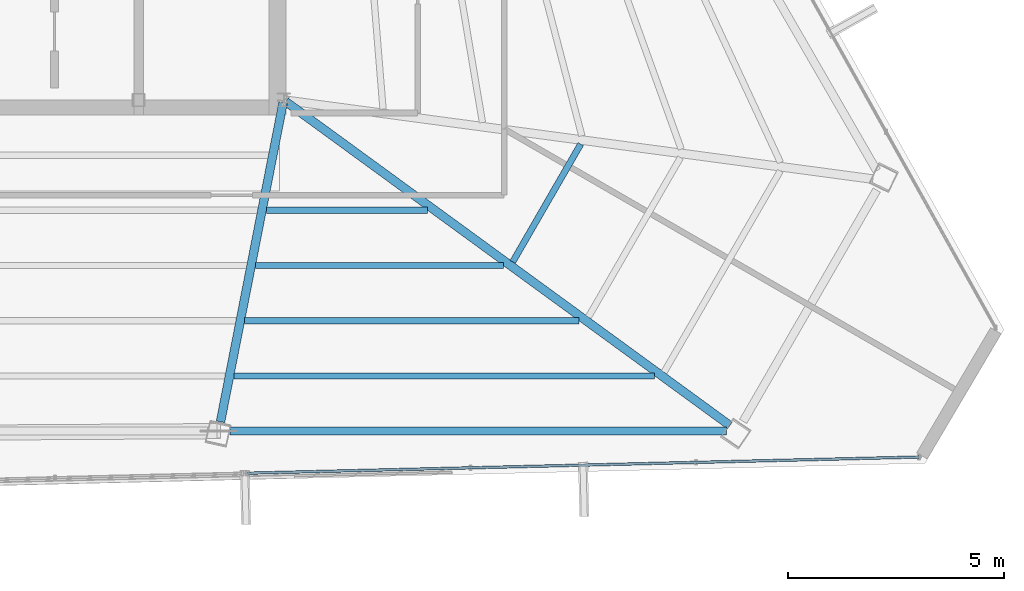
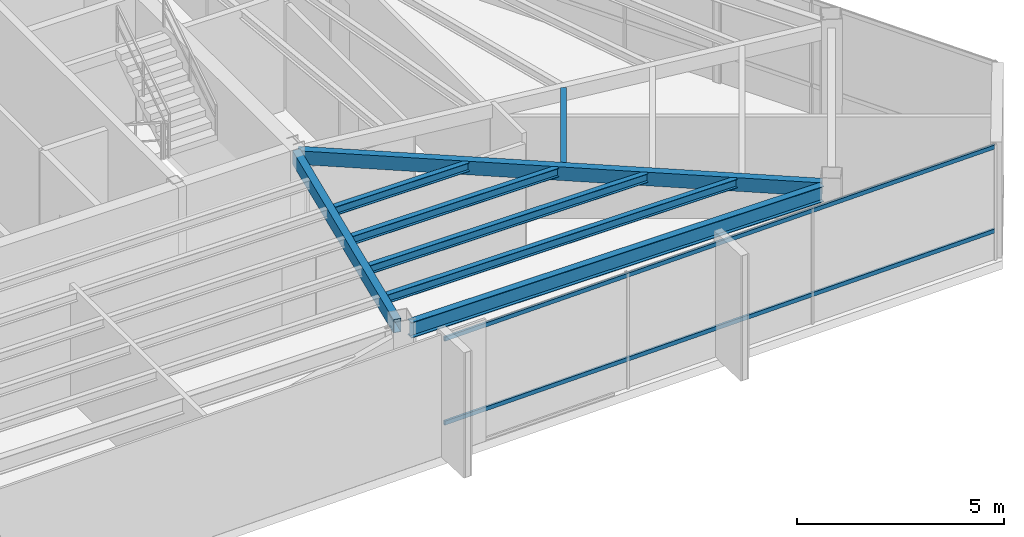
# One storey, part 22 of 45: 8 beams, 2 members, 1 element without a shape of its own.
"""IFC4 building model written with IfcOpenShell, lengths in metres."""

from ifc_helpers import new_model, si_unit, direction, frame, origin, origin_2d, place, context, subcontext, project, spatial, hollow_rectangle, i_section, extrude, source, transform, mapped, material, material_profile, profile_set, type_object, type_shapes, element, aggregate, save


model = new_model("IFC4")

# Units and contexts
model_context = context("Model", 3, precision=1e-05, world=origin(), true_north=direction((0.0, 1.0)))
body_context = subcontext(model_context, "Body", "Model", "MODEL_VIEW")
ifc_project = project(units=[si_unit("LENGTHUNIT", "METRE"), si_unit("AREAUNIT", "SQUARE_METRE"), si_unit("VOLUMEUNIT", "CUBIC_METRE"), si_unit("PLANEANGLEUNIT", "RADIAN"), si_unit("MASSUNIT", "GRAM", prefix="KILO")], contexts=[model_context])

# Site, building, storey
site_placement = place(None, origin())
site = spatial("IfcSite", under=ifc_project, at=site_placement, CompositionType="ELEMENT")
building_placement = place(site_placement, origin())
building = spatial("IfcBuilding", under=site, at=building_placement, Name="Caelisora Broadcast Tower", CompositionType="ELEMENT")
storey_placement = place(building_placement, frame((0.0, 0.0, 273.64990234375)))
storey = spatial("IfcBuildingStorey", under=building, at=storey_placement, Name="L72", CompositionType="ELEMENT", Elevation=273.64990234375)

# Beams
ifc_material_1 = material(Name="Steel Grade 350 (AS/NZS 3679.1)", Category="steel")
ifc_material_profile_1 = material_profile(ifc_material_1, i_section(OverallWidth=0.19091796875, OverallDepth=0.46044921875, WebThickness=0.010009765625, FlangeThickness=0.01611328125, at=origin_2d()), Name="Steel Grade 350 (AS/NZS 3679.1)")
ifc_profile_set_1 = profile_set([ifc_material_profile_1], Name="Steel Grade 350 (AS/NZS 3679.1)")
beam_type_1 = type_object("IfcBeamType", Name="PG06", PredefinedType="BEAM", material=ifc_profile_set_1)
shared_shape_1 = source(origin(), body_context, "Body", "SweptSolid", [
    extrude(i_section(OverallWidth=0.19091796875, OverallDepth=0.46044921875, WebThickness=0.010009765625, FlangeThickness=0.01611328125, at=origin_2d()), origin(), (0.0, 0.0, 1.0), 11.47705078125),
])
type_shapes(beam_type_1, [shared_shape_1])
beam_1_placement = place(storey_placement, frame((44.25830078125, 9.745849609375, 3.169921875), z_axis=(1.0, 0.0, 0.0), x_axis=(0.0, 1.0, 0.0)))
element("IfcBeam", 1, at=beam_1_placement, inside=storey, type_object=beam_type_1, Name="L72 beam PG06", PredefinedType="BEAM", context=body_context, shape_type="MappedRepresentation", body=[
    mapped(shared_shape_1, transform((0.0, 0.0, 0.0), scale=1.0)),
])
ifc_material_2 = material(Name="Steel Grade 350 (AS/NZS 1163 C350L0)", Category="steel")
ifc_material_profile_2 = material_profile(ifc_material_2, hollow_rectangle(XDim=0.199951171875, YDim=0.39990234375, WallThickness=0.012451171875, at=origin_2d()), Name="Steel Grade 350 (AS/NZS 1163 C350L0)")
ifc_profile_set_2 = profile_set([ifc_material_profile_2], Name="Steel Grade 350 (AS/NZS 1163 C350L0)")
beam_type_2 = type_object("IfcBeamType", Name="PG07", PredefinedType="BEAM", material=ifc_profile_set_2)
shared_shape_2 = source(origin(), body_context, "Body", "SweptSolid", [
    extrude(hollow_rectangle(XDim=0.199951171875, YDim=0.39990234375, WallThickness=0.012451171875, at=origin_2d()), origin(), (0.0, 0.0, 1.0), 12.70947265625),
])
beam_2_placement = place(storey_placement, frame((45.548583984375, 17.364501953125, 3.2001953125), z_axis=(0.807957041253, -0.589241393225, 0.0), x_axis=(0.589241393225, 0.807957041253, 0.0)))
element("IfcBeam", 2, at=beam_2_placement, inside=storey, type_object=beam_type_2, Name="L72 beam PG07", PredefinedType="BEAM", context=body_context, shape_type="MappedRepresentation", body=[
    mapped(shared_shape_2, transform((0.0, 0.0, 0.0), scale=1.0)),
])
shared_shape_3 = source(origin(), body_context, "Body", "SweptSolid", [
    extrude(hollow_rectangle(XDim=0.199951171875, YDim=0.39990234375, WallThickness=0.012451171875, at=origin_2d()), origin(), (0.0, 0.0, 1.0), 7.519775390625),
])
type_shapes(beam_type_2, [shared_shape_2, shared_shape_3])
beam_3_placement = place(storey_placement, frame((45.48828125, 17.341064453125, 3.2001953125), z_axis=(-0.192493540707, -0.981298240489, 0.0), x_axis=(0.981298240489, -0.192493540707, 0.0)))
element("IfcBeam", 3, at=beam_3_placement, inside=storey, type_object=beam_type_2, Name="L72 beam PG07", PredefinedType="BEAM", context=body_context, shape_type="MappedRepresentation", body=[
    mapped(shared_shape_3, transform((0.0, 0.0, 0.0), scale=1.0)),
])
ifc_material_profile_3 = material_profile(ifc_material_1, i_section(OverallWidth=0.14599609375, OverallDepth=0.256103515625, WebThickness=0.00634765625, FlangeThickness=0.010986328125, at=origin_2d()), Name="Steel Grade 350 (AS/NZS 3679.1)")
ifc_profile_set_3 = profile_set([ifc_material_profile_3], Name="Steel Grade 350 (AS/NZS 3679.1)")
beam_type_3 = type_object("IfcBeamType", Name="SB04", PredefinedType="JOIST", material=ifc_profile_set_3)
shared_shape_4 = source(origin(), body_context, "Body", "SweptSolid", [
    extrude(i_section(OverallWidth=0.14599609375, OverallDepth=0.256103515625, WebThickness=0.00634765625, FlangeThickness=0.010986328125, at=origin_2d()), origin(), (0.0, 0.0, 1.0), 3.14404296875),
])
beam_4_placement = place(storey_placement, frame((50.79638671875, 13.657470703125, 3.27197265625), z_axis=(0.499989077369, 0.866031709877, 0.0), x_axis=(-0.866031709877, 0.499989077369, 0.0)))
element("IfcBeam", 4, at=beam_4_placement, inside=storey, type_object=beam_type_3, Name="L72 beam SB04", PredefinedType="JOIST", context=body_context, shape_type="MappedRepresentation", body=[
    mapped(shared_shape_4, transform((0.0, 0.0, 0.0), scale=1.0)),
])
shared_shape_5 = source(origin(), body_context, "Body", "SweptSolid", [
    extrude(i_section(OverallWidth=0.14599609375, OverallDepth=0.256103515625, WebThickness=0.00634765625, FlangeThickness=0.010986328125, at=origin_2d()), origin(), (0.0, 0.0, 1.0), 3.7333984375),
])
beam_5_placement = place(storey_placement, frame((45.098388671875, 14.8486328125, 3.27197265625), z_axis=(1.0, 0.0, 0.0), x_axis=(0.0, 1.0, 0.0)))
element("IfcBeam", 5, at=beam_5_placement, inside=storey, type_object=beam_type_3, Name="L72 beam SB04", PredefinedType="JOIST", context=body_context, shape_type="MappedRepresentation", body=[
    mapped(shared_shape_5, transform((0.0, 0.0, 0.0), scale=1.0)),
])
shared_shape_6 = source(origin(), body_context, "Body", "SweptSolid", [
    extrude(i_section(OverallWidth=0.14599609375, OverallDepth=0.256103515625, WebThickness=0.00634765625, FlangeThickness=0.010986328125, at=origin_2d()), origin(), (0.0, 0.0, 1.0), 5.73291015625),
])
beam_6_placement = place(storey_placement, frame((44.84814453125, 13.572998046875, 3.27197265625), z_axis=(1.0, 0.0, 0.0), x_axis=(0.0, 1.0, 0.0)))
element("IfcBeam", 6, at=beam_6_placement, inside=storey, type_object=beam_type_3, Name="L72 beam SB04", PredefinedType="JOIST", context=body_context, shape_type="MappedRepresentation", body=[
    mapped(shared_shape_6, transform((0.0, 0.0, 0.0), scale=1.0)),
])
shared_shape_7 = source(origin(), body_context, "Body", "SweptSolid", [
    extrude(i_section(OverallWidth=0.14599609375, OverallDepth=0.256103515625, WebThickness=0.00634765625, FlangeThickness=0.010986328125, at=origin_2d()), origin(), (0.0, 0.0, 1.0), 7.732177734375),
])
beam_7_placement = place(storey_placement, frame((44.597900390625, 12.29736328125, 3.27197265625), z_axis=(1.0, 0.0, 0.0), x_axis=(0.0, 1.0, 0.0)))
element("IfcBeam", 7, at=beam_7_placement, inside=storey, type_object=beam_type_3, Name="L72 beam SB04", PredefinedType="JOIST", context=body_context, shape_type="MappedRepresentation", body=[
    mapped(shared_shape_7, transform((0.0, 0.0, 0.0), scale=1.0)),
])
shared_shape_8 = source(origin(), body_context, "Body", "SweptSolid", [
    extrude(i_section(OverallWidth=0.14599609375, OverallDepth=0.256103515625, WebThickness=0.00634765625, FlangeThickness=0.010986328125, at=origin_2d()), origin(), (0.0, 0.0, 1.0), 9.731689453125),
])
type_shapes(beam_type_3, [shared_shape_4, shared_shape_5, shared_shape_6, shared_shape_7, shared_shape_8])
beam_8_placement = place(storey_placement, frame((44.34765625, 11.021484375, 3.27197265625), z_axis=(1.0, 0.0, 0.0), x_axis=(0.0, 1.0, 0.0)))
element("IfcBeam", 8, at=beam_8_placement, inside=storey, type_object=beam_type_3, Name="L72 beam SB04", PredefinedType="JOIST", context=body_context, shape_type="MappedRepresentation", body=[
    mapped(shared_shape_8, transform((0.0, 0.0, 0.0), scale=1.0)),
])

# Curtain wall, members
ifc_material_3 = material(Name="Unitised Aluminium and Low-E Glass Curtain Wall", Category="glass")
curtain_wall_type = type_object("IfcCurtainWallType", Name="CW-Z5", PredefinedType="NOTDEFINED", material=ifc_material_3)
curtain_wall_placement = place(storey_placement, origin())
curtain_wall = element("IfcCurtainWall", 9, at=curtain_wall_placement, inside=storey, type_object=curtain_wall_type, Name="L72 curtain wall CW-Z5", PredefinedType="NOTDEFINED")
ifc_material_4 = material(Name="Aluminium 6063-T6 Anodised Terracotta Bronze", Category="aluminium")
ifc_material_profile_4 = material_profile(ifc_material_4, hollow_rectangle(XDim=0.06005859375, YDim=0.1201171875, WallThickness=0.0029296875, at=origin_2d()), Name="Aluminium 6063-T6 Anodised Terracotta Bronze")
ifc_profile_set_4 = profile_set([ifc_material_profile_4], Name="Aluminium 6063-T6 Anodised Terracotta Bronze")
member_type = type_object("IfcMemberType", Name="CWT-03", PredefinedType="USERDEFINED", material=ifc_profile_set_4)
shared_shape_9 = source(origin(), body_context, "Body", "SweptSolid", [
    extrude(hollow_rectangle(XDim=0.06005859375, YDim=0.1201171875, WallThickness=0.0029296875, at=origin_2d()), origin(), (0.0, 0.0, 1.0), 15.537353515625),
])
type_shapes(member_type, [shared_shape_9])
member_1_placement = place(storey_placement, frame((60.19189453125, 9.146728515625, 0.85009765625), z_axis=(-0.99970984038, -0.024088068549, 0.0), x_axis=(0.024088068549, -0.99970984038, 0.0)))
member_1 = element("IfcMember", 10, at=member_1_placement, type_object=member_type, Name="L72-CW-B05 transom #1", ObjectType="TRANSOM", PredefinedType="USERDEFINED", context=body_context, shape_type="MappedRepresentation", body=[
    mapped(shared_shape_9, transform((0.0, 0.0, 0.0), scale=1.0)),
])
member_2_placement = place(storey_placement, frame((60.19189453125, 9.146728515625, 3.320068359375), z_axis=(-0.99970984038, -0.024088068549, 0.0), x_axis=(0.024088068549, -0.99970984038, 0.0)))
member_2 = element("IfcMember", 11, at=member_2_placement, type_object=member_type, Name="L72-CW-B05 transom #2", ObjectType="TRANSOM", PredefinedType="USERDEFINED", context=body_context, shape_type="MappedRepresentation", body=[
    mapped(shared_shape_9, transform((0.0, 0.0, 0.0), scale=1.0)),
])
aggregate(curtain_wall, [member_1, member_2])

save(model, "model.ifc")
